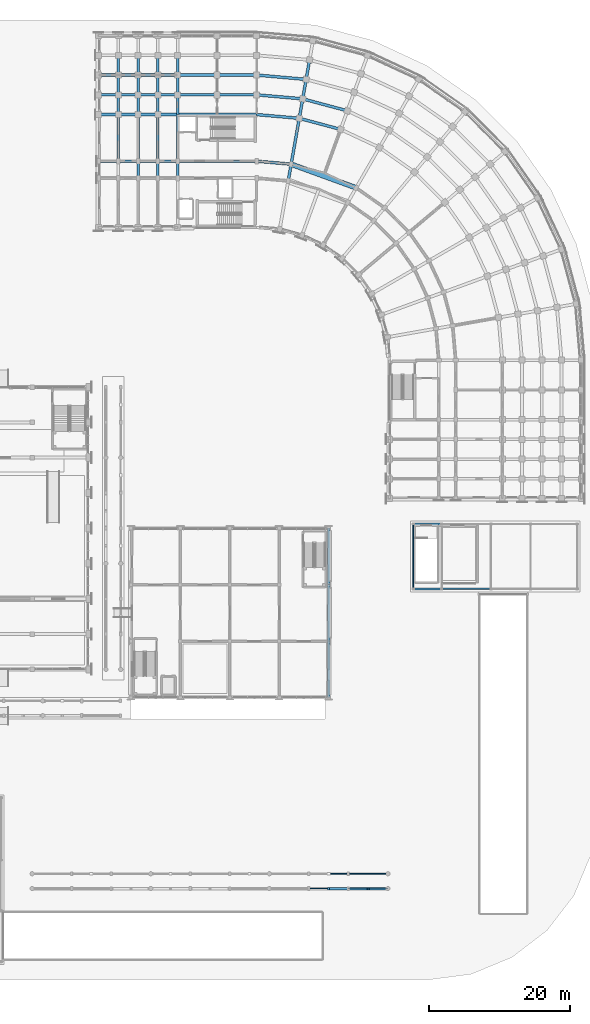
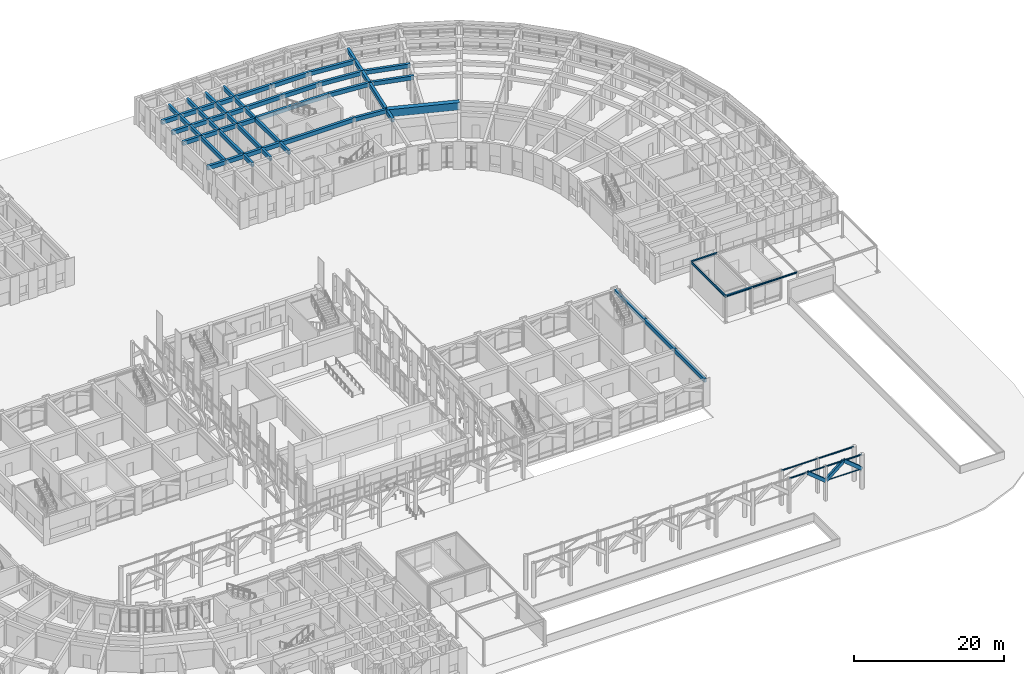
# One storey, part 46 of 135: 67 beams, 1 member.
"""IFC4 building model written with IfcOpenShell, lengths in metres."""

from ifc_helpers import new_model, si_unit, direction, frame, origin, origin_2d, place, context, subcontext, project, spatial, rectangle, hollow_circle, i_section, extrude, material, material_profile, profile_set, type_object, element, save


model = new_model("IFC4")

# Units and contexts
model_context = context("Model", 3, precision=1e-05, world=origin(), true_north=direction((0.0, 1.0)))
body_context = subcontext(model_context, "Body", "Model", "MODEL_VIEW")
ifc_project = project(units=[si_unit("LENGTHUNIT", "METRE"), si_unit("AREAUNIT", "SQUARE_METRE"), si_unit("VOLUMEUNIT", "CUBIC_METRE"), si_unit("PLANEANGLEUNIT", "RADIAN"), si_unit("MASSUNIT", "GRAM", prefix="KILO")], contexts=[model_context])

# Site, building, storey
site_placement = place(None, origin())
site = spatial("IfcSite", under=ifc_project, at=site_placement, CompositionType="ELEMENT")
building_placement = place(site_placement, origin())
building = spatial("IfcBuilding", under=site, at=building_placement, Name="Kiranvali Square Residences", CompositionType="ELEMENT")
storey_placement = place(building_placement, origin())
storey = spatial("IfcBuildingStorey", under=building, at=storey_placement, Name="L00", CompositionType="ELEMENT", Elevation=0.0)

# Beams
ifc_material_1 = material(Name="Concrete M40 (40 MPa)", Category="concrete")
ifc_material_profile_1 = material_profile(ifc_material_1, rectangle(XDim=0.35009765625, YDim=0.5, at=origin_2d()), Name="RC 350x500")
ifc_profile_set_1 = profile_set([ifc_material_profile_1], Name="Concrete M40 (40 MPa)")
beam_type_1 = type_object("IfcBeamType", Name="AR-M40-350x500", PredefinedType="USERDEFINED", material=ifc_profile_set_1)
for number, where, z_axis, x_axis, name in (
    (1, (130.0, 12.949951171875, 5.4599609375), (0.773707197962, 0.0, -0.633543346443), (0.0, 1.0, 0.0), "Classical pointed Ottoman arch rib ARCH-ARC-SQ-S-08.2"),
    (2, (132.840087890625, 12.949951171875, 3.199951171875), (0.773707197962, 0.0, 0.633543346443), (0.0, 1.0, 0.0), "Classical pointed Ottoman arch rib ARCH-ARC-SQ-S-09.1"),
    (3, (135.60009765625, 12.949951171875, 5.4599609375), (0.773707197962, 0.0, -0.633543346443), (0.0, 1.0, 0.0), "Classical pointed Ottoman arch rib ARCH-ARC-SQ-S-09.2"),
):
    element("IfcBeam", number, at=place(storey_placement, frame(where, z_axis=z_axis, x_axis=x_axis)), inside=storey, type_object=beam_type_1, Name=name, ObjectType="ARCH RIB", PredefinedType="USERDEFINED", context=body_context, shape_type="SweptSolid", body=[
        extrude(rectangle(XDim=0.35009765625, YDim=0.5, at=origin_2d()), origin(), (0.0, 0.0, 1.0), 3.567138671875),
    ])
ifc_material_profile_2 = material_profile(ifc_material_1, rectangle(XDim=0.35009765625, YDim=0.60009765625, at=origin_2d()), Name="RC 350x600")
ifc_profile_set_2 = profile_set([ifc_material_profile_2], Name="Concrete M40 (40 MPa)")
beam_type_2 = type_object("IfcBeamType", Name="BM-M40-350x600", PredefinedType="BEAM", material=ifc_profile_set_2)
for number, where, z_axis, x_axis, name in (
    (4, (130.0, 40.0, 3.97998046875), (0.0, 1.0, 0.0), (-1.0, 0.0, 0.0), "L00 beam BM-RT-L00-Y4-0"),
    (5, (130.0, 48.0, 3.97998046875), (0.0, 1.0, 0.0), (-1.0, 0.0, 0.0), "L00 beam BM-RT-L00-Y4-1"),
    (6, (130.0, 56.0, 3.97998046875), (0.0, 1.0, 0.0), (-1.0, 0.0, 0.0), "L00 beam BM-RT-L00-Y4-2"),
):
    element("IfcBeam", number, at=place(storey_placement, frame(where, z_axis=z_axis, x_axis=x_axis)), inside=storey, type_object=beam_type_2, Name=name, PredefinedType="BEAM", context=body_context, shape_type="SweptSolid", body=[
        extrude(rectangle(XDim=0.35009765625, YDim=0.60009765625, at=origin_2d()), origin(), (0.0, 0.0, 1.0), 8.0),
    ])
ifc_material_profile_3 = material_profile(ifc_material_1, rectangle(XDim=0.35009765625, YDim=0.64990234375, at=origin_2d()), Name="RC 350x650")
ifc_profile_set_3 = profile_set([ifc_material_profile_3], Name="Concrete M40 (40 MPa)")
beam_type_3 = type_object("IfcBeamType", Name="BM-M40-350x650", PredefinedType="BEAM", material=ifc_profile_set_3)
beam_1_placement = place(storey_placement, frame((108.60009765625, 113.60009765625, 3.824951171875), z_axis=(0.0, 1.0, 0.0), x_axis=(-1.0, 0.0, 0.0)))
element("IfcBeam", 7, at=beam_1_placement, inside=storey, type_object=beam_type_3, Name="L00 beam BM-B-L00-A1T1-12", PredefinedType="BEAM", context=body_context, shape_type="SweptSolid", body=[
    extrude(rectangle(XDim=0.35009765625, YDim=0.64990234375, at=origin_2d()), origin(), (0.0, 0.0, 1.0), 2.39990234375),
])
beam_2_placement = place(storey_placement, frame((108.60009765625, 116.0, 3.824951171875), z_axis=(0.0, 1.0, 0.0), x_axis=(-1.0, 0.0, 0.0)))
element("IfcBeam", 8, at=beam_2_placement, inside=storey, type_object=beam_type_3, Name="L00 beam BM-B-L00-A1T1-23", PredefinedType="BEAM", context=body_context, shape_type="SweptSolid", body=[
    extrude(rectangle(XDim=0.35009765625, YDim=0.64990234375, at=origin_2d()), origin(), (0.0, 0.0, 1.0), 6.60009765625),
])
beam_3_placement = place(storey_placement, frame((108.60009765625, 122.60009765625, 3.824951171875), z_axis=(0.0, 1.0, 0.0), x_axis=(-1.0, 0.0, 0.0)))
element("IfcBeam", 9, at=beam_3_placement, inside=storey, type_object=beam_type_3, Name="L00 beam BM-B-L00-A1T1-34", PredefinedType="BEAM", context=body_context, shape_type="SweptSolid", body=[
    extrude(rectangle(XDim=0.35009765625, YDim=0.64990234375, at=origin_2d()), origin(), (0.0, 0.0, 1.0), 2.7998046875),
])
for number, where, z_axis, x_axis, name in (
    (10, (108.60009765625, 125.39990234375, 3.824951171875), (0.0, 1.0, 0.0), (-1.0, 0.0, 0.0), "L00 beam BM-B-L00-A1T1-45"),
    (11, (108.60009765625, 128.199951171875, 3.824951171875), (0.0, 1.0, 0.0), (-1.0, 0.0, 0.0), "L00 beam BM-B-L00-A1T1-56"),
):
    element("IfcBeam", number, at=place(storey_placement, frame(where, z_axis=z_axis, x_axis=x_axis)), inside=storey, type_object=beam_type_3, Name=name, PredefinedType="BEAM", context=body_context, shape_type="SweptSolid", body=[
        extrude(rectangle(XDim=0.35009765625, YDim=0.64990234375, at=origin_2d()), origin(), (0.0, 0.0, 1.0), 2.800048828125),
    ])
beam_4_placement = place(storey_placement, frame((105.800048828125, 113.60009765625, 3.824951171875), z_axis=(0.0, 1.0, 0.0), x_axis=(-1.0, 0.0, 0.0)))
element("IfcBeam", 12, at=beam_4_placement, inside=storey, type_object=beam_type_3, Name="L00 beam BM-B-L00-A1T2-12", PredefinedType="BEAM", context=body_context, shape_type="SweptSolid", body=[
    extrude(rectangle(XDim=0.35009765625, YDim=0.64990234375, at=origin_2d()), origin(), (0.0, 0.0, 1.0), 2.39990234375),
])
beam_5_placement = place(storey_placement, frame((105.800048828125, 116.0, 3.824951171875), z_axis=(0.0, 1.0, 0.0), x_axis=(-1.0, 0.0, 0.0)))
element("IfcBeam", 13, at=beam_5_placement, inside=storey, type_object=beam_type_3, Name="L00 beam BM-B-L00-A1T2-23", PredefinedType="BEAM", context=body_context, shape_type="SweptSolid", body=[
    extrude(rectangle(XDim=0.35009765625, YDim=0.64990234375, at=origin_2d()), origin(), (0.0, 0.0, 1.0), 6.60009765625),
])
beam_6_placement = place(storey_placement, frame((105.800048828125, 122.60009765625, 3.824951171875), z_axis=(0.0, 1.0, 0.0), x_axis=(-1.0, 0.0, 0.0)))
element("IfcBeam", 14, at=beam_6_placement, inside=storey, type_object=beam_type_3, Name="L00 beam BM-B-L00-A1T2-34", PredefinedType="BEAM", context=body_context, shape_type="SweptSolid", body=[
    extrude(rectangle(XDim=0.35009765625, YDim=0.64990234375, at=origin_2d()), origin(), (0.0, 0.0, 1.0), 2.7998046875),
])
for number, where, z_axis, x_axis, name in (
    (15, (105.800048828125, 125.39990234375, 3.824951171875), (0.0, 1.0, 0.0), (-1.0, 0.0, 0.0), "L00 beam BM-B-L00-A1T2-45"),
    (16, (105.800048828125, 128.199951171875, 3.824951171875), (0.0, 1.0, 0.0), (-1.0, 0.0, 0.0), "L00 beam BM-B-L00-A1T2-56"),
):
    element("IfcBeam", number, at=place(storey_placement, frame(where, z_axis=z_axis, x_axis=x_axis)), inside=storey, type_object=beam_type_3, Name=name, PredefinedType="BEAM", context=body_context, shape_type="SweptSolid", body=[
        extrude(rectangle(XDim=0.35009765625, YDim=0.64990234375, at=origin_2d()), origin(), (0.0, 0.0, 1.0), 2.800048828125),
    ])
beam_7_placement = place(storey_placement, frame((103.0, 113.60009765625, 3.824951171875), z_axis=(0.0, 1.0, 0.0), x_axis=(-1.0, 0.0, 0.0)))
element("IfcBeam", 17, at=beam_7_placement, inside=storey, type_object=beam_type_3, Name="L00 beam BM-B-L00-A1T3-12", PredefinedType="BEAM", context=body_context, shape_type="SweptSolid", body=[
    extrude(rectangle(XDim=0.35009765625, YDim=0.64990234375, at=origin_2d()), origin(), (0.0, 0.0, 1.0), 2.39990234375),
])
beam_8_placement = place(storey_placement, frame((103.0, 116.0, 3.824951171875), z_axis=(0.0, 1.0, 0.0), x_axis=(-1.0, 0.0, 0.0)))
element("IfcBeam", 18, at=beam_8_placement, inside=storey, type_object=beam_type_3, Name="L00 beam BM-B-L00-A1T3-23", PredefinedType="BEAM", context=body_context, shape_type="SweptSolid", body=[
    extrude(rectangle(XDim=0.35009765625, YDim=0.64990234375, at=origin_2d()), origin(), (0.0, 0.0, 1.0), 6.60009765625),
])
beam_9_placement = place(storey_placement, frame((103.0, 122.60009765625, 3.824951171875), z_axis=(0.0, 1.0, 0.0), x_axis=(-1.0, 0.0, 0.0)))
element("IfcBeam", 19, at=beam_9_placement, inside=storey, type_object=beam_type_3, Name="L00 beam BM-B-L00-A1T3-34", PredefinedType="BEAM", context=body_context, shape_type="SweptSolid", body=[
    extrude(rectangle(XDim=0.35009765625, YDim=0.64990234375, at=origin_2d()), origin(), (0.0, 0.0, 1.0), 2.7998046875),
])
for number, where, z_axis, x_axis, name in (
    (20, (103.0, 125.39990234375, 3.824951171875), (0.0, 1.0, 0.0), (-1.0, 0.0, 0.0), "L00 beam BM-B-L00-A1T3-45"),
    (21, (103.0, 128.199951171875, 3.824951171875), (0.0, 1.0, 0.0), (-1.0, 0.0, 0.0), "L00 beam BM-B-L00-A1T3-56"),
):
    element("IfcBeam", number, at=place(storey_placement, frame(where, z_axis=z_axis, x_axis=x_axis)), inside=storey, type_object=beam_type_3, Name=name, PredefinedType="BEAM", context=body_context, shape_type="SweptSolid", body=[
        extrude(rectangle(XDim=0.35009765625, YDim=0.64990234375, at=origin_2d()), origin(), (0.0, 0.0, 1.0), 2.800048828125),
    ])
beam_10_placement = place(storey_placement, frame((100.199951171875, 116.0, 3.824951171875), z_axis=(0.0, 1.0, 0.0), x_axis=(-1.0, 0.0, 0.0)))
element("IfcBeam", 22, at=beam_10_placement, inside=storey, type_object=beam_type_3, Name="L00 beam BM-B-L00-A1T4-23", PredefinedType="BEAM", context=body_context, shape_type="SweptSolid", body=[
    extrude(rectangle(XDim=0.35009765625, YDim=0.64990234375, at=origin_2d()), origin(), (0.0, 0.0, 1.0), 6.60009765625),
])
beam_11_placement = place(storey_placement, frame((100.199951171875, 122.60009765625, 3.824951171875), z_axis=(0.0, 1.0, 0.0), x_axis=(-1.0, 0.0, 0.0)))
element("IfcBeam", 23, at=beam_11_placement, inside=storey, type_object=beam_type_3, Name="L00 beam BM-B-L00-A1T4-34", PredefinedType="BEAM", context=body_context, shape_type="SweptSolid", body=[
    extrude(rectangle(XDim=0.35009765625, YDim=0.64990234375, at=origin_2d()), origin(), (0.0, 0.0, 1.0), 2.7998046875),
])
for number, where, z_axis, x_axis, name in (
    (24, (100.199951171875, 125.39990234375, 3.824951171875), (0.0, 1.0, 0.0), (-1.0, 0.0, 0.0), "L00 beam BM-B-L00-A1T4-45"),
    (25, (100.199951171875, 128.199951171875, 3.824951171875), (0.0, 1.0, 0.0), (-1.0, 0.0, 0.0), "L00 beam BM-B-L00-A1T4-56"),
):
    element("IfcBeam", number, at=place(storey_placement, frame(where, z_axis=z_axis, x_axis=x_axis)), inside=storey, type_object=beam_type_3, Name=name, PredefinedType="BEAM", context=body_context, shape_type="SweptSolid", body=[
        extrude(rectangle(XDim=0.35009765625, YDim=0.64990234375, at=origin_2d()), origin(), (0.0, 0.0, 1.0), 2.800048828125),
    ])
ifc_material_2 = material(Name="Concrete M45 (45 MPa)", Category="concrete")
ifc_material_profile_4 = material_profile(ifc_material_2, rectangle(XDim=0.39990234375, YDim=0.64990234375, at=origin_2d()), Name="RC 400x650")
ifc_profile_set_4 = profile_set([ifc_material_profile_4], Name="Concrete M45 (45 MPa)")
beam_type_4 = type_object("IfcBeamType", Name="BM-M45-400x650", PredefinedType="BEAM", material=ifc_profile_set_4)
beam_12_placement = place(storey_placement, frame((119.800048828125, 116.0, 3.824951171875), z_axis=(0.996193663584, -0.087167566415, 0.0), x_axis=(0.087167566415, 0.996193663584, 0.0)))
element("IfcBeam", 26, at=beam_12_placement, inside=storey, type_object=beam_type_4, Name="L00 beam BM-B-L00-C00-R2", PredefinedType="BEAM", context=body_context, shape_type="SweptSolid", body=[
    extrude(rectangle(XDim=0.39990234375, YDim=0.64990234375, at=origin_2d()), origin(), (0.0, 0.0, 1.0), 4.91552734375),
])
beam_13_placement = place(storey_placement, frame((119.800048828125, 122.60009765625, 3.824951171875), z_axis=(0.996193018494, -0.087174938512, 0.0), x_axis=(0.087174938512, 0.996193018494, 0.0)))
element("IfcBeam", 27, at=beam_13_placement, inside=storey, type_object=beam_type_4, Name="L00 beam BM-B-L00-C00-R3", PredefinedType="BEAM", context=body_context, shape_type="SweptSolid", body=[
    extrude(rectangle(XDim=0.39990234375, YDim=0.64990234375, at=origin_2d()), origin(), (0.0, 0.0, 1.0), 6.066162109375),
])
beam_14_placement = place(storey_placement, frame((119.800048828125, 125.39990234375, 3.824951171875), z_axis=(0.996196991902, -0.0871295204, 0.0), x_axis=(0.0871295204, 0.996196991902, 0.0)))
element("IfcBeam", 28, at=beam_14_placement, inside=storey, type_object=beam_type_4, Name="L00 beam BM-B-L00-C00-R4", PredefinedType="BEAM", context=body_context, shape_type="SweptSolid", body=[
    extrude(rectangle(XDim=0.39990234375, YDim=0.64990234375, at=origin_2d()), origin(), (0.0, 0.0, 1.0), 6.553955078125),
])
beam_15_placement = place(storey_placement, frame((119.800048828125, 128.199951171875, 3.824951171875), z_axis=(0.996194658198, -0.087156198737, 0.0), x_axis=(0.087156198737, 0.996194658198, 0.0)))
element("IfcBeam", 29, at=beam_15_placement, inside=storey, type_object=beam_type_4, Name="L00 beam BM-B-L00-C00-R5", PredefinedType="BEAM", context=body_context, shape_type="SweptSolid", body=[
    extrude(rectangle(XDim=0.39990234375, YDim=0.64990234375, at=origin_2d()), origin(), (0.0, 0.0, 1.0), 7.042236328125),
])
beam_16_placement = place(storey_placement, frame((125.843017578125, 122.0712890625, 3.824951171875), z_axis=(0.965923618901, -0.258827283048, 0.0), x_axis=(0.258827283048, 0.965923618901, 0.0)))
element("IfcBeam", 30, at=beam_16_placement, inside=storey, type_object=beam_type_4, Name="L00 beam BM-B-L00-C01-R3", PredefinedType="BEAM", context=body_context, shape_type="SweptSolid", body=[
    extrude(rectangle(XDim=0.39990234375, YDim=0.64990234375, at=origin_2d()), origin(), (0.0, 0.0, 1.0), 6.066162109375),
])
beam_17_placement = place(storey_placement, frame((126.3291015625, 124.828857421875, 3.824951171875), z_axis=(0.965918287583, -0.258847178297, 0.0), x_axis=(0.258847178297, 0.965918287583, 0.0)))
element("IfcBeam", 31, at=beam_17_placement, inside=storey, type_object=beam_type_4, Name="L00 beam BM-B-L00-C01-R4", PredefinedType="BEAM", context=body_context, shape_type="SweptSolid", body=[
    extrude(rectangle(XDim=0.39990234375, YDim=0.64990234375, at=origin_2d()), origin(), (0.0, 0.0, 1.0), 6.55419921875),
])
beam_18_placement = place(storey_placement, frame((124.280029296875, 113.2080078125, 3.824951171875), z_axis=(0.173646056486, 0.984808127031, 0.0), x_axis=(-0.984808127031, 0.173646056486, 0.0)))
element("IfcBeam", 32, at=beam_18_placement, inside=storey, type_object=beam_type_4, Name="L00 beam BM-B-L00-RAD01-12", PredefinedType="BEAM", context=body_context, shape_type="SweptSolid", body=[
    extrude(rectangle(XDim=0.39990234375, YDim=0.64990234375, at=origin_2d()), origin(), (0.0, 0.0, 1.0), 2.39990234375),
])
beam_19_placement = place(storey_placement, frame((124.69677734375, 115.571533203125, 3.824951171875), z_axis=(0.173671381499, 0.984803661269, 0.0), x_axis=(-0.984803661269, 0.173671381499, 0.0)))
element("IfcBeam", 33, at=beam_19_placement, inside=storey, type_object=beam_type_4, Name="L00 beam BM-B-L00-RAD01-23", PredefinedType="BEAM", context=body_context, shape_type="SweptSolid", body=[
    extrude(rectangle(XDim=0.39990234375, YDim=0.64990234375, at=origin_2d()), origin(), (0.0, 0.0, 1.0), 6.60009765625),
])
beam_20_placement = place(storey_placement, frame((125.843017578125, 122.0712890625, 3.824951171875), z_axis=(0.173596320392, 0.984816895441, 0.0), x_axis=(-0.984816895441, 0.173596320392, 0.0)))
element("IfcBeam", 34, at=beam_20_placement, inside=storey, type_object=beam_type_4, Name="L00 beam BM-B-L00-RAD01-34", PredefinedType="BEAM", context=body_context, shape_type="SweptSolid", body=[
    extrude(rectangle(XDim=0.39990234375, YDim=0.64990234375, at=origin_2d()), origin(), (0.0, 0.0, 1.0), 2.800048828125),
])
beam_21_placement = place(storey_placement, frame((126.3291015625, 124.828857421875, 3.824951171875), z_axis=(0.173695795656, 0.984799355489, 0.0), x_axis=(-0.984799355489, 0.173695795656, 0.0)))
element("IfcBeam", 35, at=beam_21_placement, inside=storey, type_object=beam_type_4, Name="L00 beam BM-B-L00-RAD01-45", PredefinedType="BEAM", context=body_context, shape_type="SweptSolid", body=[
    extrude(rectangle(XDim=0.39990234375, YDim=0.64990234375, at=origin_2d()), origin(), (0.0, 0.0, 1.0), 2.7998046875),
])
beam_22_placement = place(storey_placement, frame((126.8154296875, 127.586181640625, 3.824951171875), z_axis=(0.173596320392, 0.984816895441, 0.0), x_axis=(-0.984816895441, 0.173596320392, 0.0)))
element("IfcBeam", 36, at=beam_22_placement, inside=storey, type_object=beam_type_4, Name="L00 beam BM-B-L00-RAD01-56", PredefinedType="BEAM", context=body_context, shape_type="SweptSolid", body=[
    extrude(rectangle(XDim=0.39990234375, YDim=0.64990234375, at=origin_2d()), origin(), (0.0, 0.0, 1.0), 2.800048828125),
])
beam_23_placement = place(storey_placement, frame((119.800048828125, 116.0, 3.824951171875), z_axis=(-1.0, 0.0, 0.0), x_axis=(0.0, -1.0, 0.0)))
element("IfcBeam", 37, at=beam_23_placement, inside=storey, type_object=beam_type_4, Name="L00 beam BM-B-L00-A1U0-R2", PredefinedType="BEAM", context=body_context, shape_type="SweptSolid", body=[
    extrude(rectangle(XDim=0.39990234375, YDim=0.64990234375, at=origin_2d()), origin(), (0.0, 0.0, 1.0), 11.199951171875),
])
for number, where, z_axis, x_axis, name in (
    (38, (108.60009765625, 116.0, 3.824951171875), (-1.0, 0.0, 0.0), (0.0, -1.0, 0.0), "L00 beam BM-B-L00-A1U1-R2"),
    (39, (105.800048828125, 116.0, 3.824951171875), (-1.0, 0.0, 0.0), (0.0, -1.0, 0.0), "L00 beam BM-B-L00-A1U2-R2"),
    (40, (103.0, 116.0, 3.824951171875), (-1.0, 0.0, 0.0), (0.0, -1.0, 0.0), "L00 beam BM-B-L00-A1U3-R2"),
    (41, (100.199951171875, 116.0, 3.824951171875), (-1.0, 0.0, 0.0), (0.0, -1.0, 0.0), "L00 beam BM-B-L00-A1U4-R2"),
):
    element("IfcBeam", number, at=place(storey_placement, frame(where, z_axis=z_axis, x_axis=x_axis)), inside=storey, type_object=beam_type_4, Name=name, PredefinedType="BEAM", context=body_context, shape_type="SweptSolid", body=[
        extrude(rectangle(XDim=0.39990234375, YDim=0.64990234375, at=origin_2d()), origin(), (0.0, 0.0, 1.0), 2.800048828125),
    ])
beam_24_placement = place(storey_placement, frame((119.800048828125, 122.60009765625, 3.824951171875), z_axis=(-1.0, 0.0, 0.0), x_axis=(0.0, -1.0, 0.0)))
element("IfcBeam", 42, at=beam_24_placement, inside=storey, type_object=beam_type_4, Name="L00 beam BM-B-L00-A1U0-R3", PredefinedType="BEAM", context=body_context, shape_type="SweptSolid", body=[
    extrude(rectangle(XDim=0.39990234375, YDim=0.64990234375, at=origin_2d()), origin(), (0.0, 0.0, 1.0), 11.199951171875),
])
for number, where, z_axis, x_axis, name in (
    (43, (108.60009765625, 122.60009765625, 3.824951171875), (-1.0, 0.0, 0.0), (0.0, -1.0, 0.0), "L00 beam BM-B-L00-A1U1-R3"),
    (44, (105.800048828125, 122.60009765625, 3.824951171875), (-1.0, 0.0, 0.0), (0.0, -1.0, 0.0), "L00 beam BM-B-L00-A1U2-R3"),
    (45, (103.0, 122.60009765625, 3.824951171875), (-1.0, 0.0, 0.0), (0.0, -1.0, 0.0), "L00 beam BM-B-L00-A1U3-R3"),
    (46, (100.199951171875, 122.60009765625, 3.824951171875), (-1.0, 0.0, 0.0), (0.0, -1.0, 0.0), "L00 beam BM-B-L00-A1U4-R3"),
):
    element("IfcBeam", number, at=place(storey_placement, frame(where, z_axis=z_axis, x_axis=x_axis)), inside=storey, type_object=beam_type_4, Name=name, PredefinedType="BEAM", context=body_context, shape_type="SweptSolid", body=[
        extrude(rectangle(XDim=0.39990234375, YDim=0.64990234375, at=origin_2d()), origin(), (0.0, 0.0, 1.0), 2.800048828125),
    ])
beam_25_placement = place(storey_placement, frame((119.800048828125, 125.39990234375, 3.824951171875), z_axis=(-1.0, 0.0, 0.0), x_axis=(0.0, -1.0, 0.0)))
element("IfcBeam", 47, at=beam_25_placement, inside=storey, type_object=beam_type_4, Name="L00 beam BM-B-L00-A1U0-R4", PredefinedType="BEAM", context=body_context, shape_type="SweptSolid", body=[
    extrude(rectangle(XDim=0.39990234375, YDim=0.64990234375, at=origin_2d()), origin(), (0.0, 0.0, 1.0), 5.60009765625),
])
beam_26_placement = place(storey_placement, frame((114.199951171875, 125.39990234375, 3.824951171875), z_axis=(-1.0, 0.0, 0.0), x_axis=(0.0, -1.0, 0.0)))
element("IfcBeam", 48, at=beam_26_placement, inside=storey, type_object=beam_type_4, Name="L00 beam BM-B-L00-A1U1-R4", PredefinedType="BEAM", context=body_context, shape_type="SweptSolid", body=[
    extrude(rectangle(XDim=0.39990234375, YDim=0.64990234375, at=origin_2d()), origin(), (0.0, 0.0, 1.0), 5.599853515625),
])
for number, where, z_axis, x_axis, name in (
    (49, (108.60009765625, 125.39990234375, 3.824951171875), (-1.0, 0.0, 0.0), (0.0, -1.0, 0.0), "L00 beam BM-B-L00-A1U2-R4"),
    (50, (105.800048828125, 125.39990234375, 3.824951171875), (-1.0, 0.0, 0.0), (0.0, -1.0, 0.0), "L00 beam BM-B-L00-A1U3-R4"),
    (51, (103.0, 125.39990234375, 3.824951171875), (-1.0, 0.0, 0.0), (0.0, -1.0, 0.0), "L00 beam BM-B-L00-A1U4-R4"),
    (52, (100.199951171875, 125.39990234375, 3.824951171875), (-1.0, 0.0, 0.0), (0.0, -1.0, 0.0), "L00 beam BM-B-L00-A1U5-R4"),
):
    element("IfcBeam", number, at=place(storey_placement, frame(where, z_axis=z_axis, x_axis=x_axis)), inside=storey, type_object=beam_type_4, Name=name, PredefinedType="BEAM", context=body_context, shape_type="SweptSolid", body=[
        extrude(rectangle(XDim=0.39990234375, YDim=0.64990234375, at=origin_2d()), origin(), (0.0, 0.0, 1.0), 2.800048828125),
    ])
beam_27_placement = place(storey_placement, frame((119.800048828125, 128.199951171875, 3.824951171875), z_axis=(-1.0, 0.0, 0.0), x_axis=(0.0, -1.0, 0.0)))
element("IfcBeam", 53, at=beam_27_placement, inside=storey, type_object=beam_type_4, Name="L00 beam BM-B-L00-A1U0-R5", PredefinedType="BEAM", context=body_context, shape_type="SweptSolid", body=[
    extrude(rectangle(XDim=0.39990234375, YDim=0.64990234375, at=origin_2d()), origin(), (0.0, 0.0, 1.0), 5.60009765625),
])
beam_28_placement = place(storey_placement, frame((114.199951171875, 128.199951171875, 3.824951171875), z_axis=(-1.0, 0.0, 0.0), x_axis=(0.0, -1.0, 0.0)))
element("IfcBeam", 54, at=beam_28_placement, inside=storey, type_object=beam_type_4, Name="L00 beam BM-B-L00-A1U1-R5", PredefinedType="BEAM", context=body_context, shape_type="SweptSolid", body=[
    extrude(rectangle(XDim=0.39990234375, YDim=0.64990234375, at=origin_2d()), origin(), (0.0, 0.0, 1.0), 5.599853515625),
])
for number, where, z_axis, x_axis, name in (
    (55, (108.60009765625, 128.199951171875, 3.824951171875), (-1.0, 0.0, 0.0), (0.0, -1.0, 0.0), "L00 beam BM-B-L00-A1U2-R5"),
    (56, (105.800048828125, 128.199951171875, 3.824951171875), (-1.0, 0.0, 0.0), (0.0, -1.0, 0.0), "L00 beam BM-B-L00-A1U3-R5"),
    (57, (103.0, 128.199951171875, 3.824951171875), (-1.0, 0.0, 0.0), (0.0, -1.0, 0.0), "L00 beam BM-B-L00-A1U4-R5"),
    (58, (100.199951171875, 128.199951171875, 3.824951171875), (-1.0, 0.0, 0.0), (0.0, -1.0, 0.0), "L00 beam BM-B-L00-A1U5-R5"),
):
    element("IfcBeam", number, at=place(storey_placement, frame(where, z_axis=z_axis, x_axis=x_axis)), inside=storey, type_object=beam_type_4, Name=name, PredefinedType="BEAM", context=body_context, shape_type="SweptSolid", body=[
        extrude(rectangle(XDim=0.39990234375, YDim=0.64990234375, at=origin_2d()), origin(), (0.0, 0.0, 1.0), 2.800048828125),
    ])

# Member
ifc_material_3 = material(Name="Structural steel E350", Category="steel")
ifc_material_profile_5 = material_profile(ifc_material_3, hollow_circle(Radius=0.08251953125, WallThickness=0.00537109375, at=origin_2d()), Name="CHS 165.1x5.4")
ifc_profile_set_5 = profile_set([ifc_material_profile_5], Name="Structural steel E350")
member_type = type_object("IfcMemberType", Name="MEM-CHS165", PredefinedType="USERDEFINED", material=ifc_profile_set_5)
member_placement = place(storey_placement, frame((132.9990234375, 12.949951171875, 3.14990234375), z_axis=(1.0, 0.0, 0.0), x_axis=(0.0, 1.0, 0.0)))
element("IfcMember", 59, at=member_placement, inside=storey, type_object=member_type, Name="Ottoman arch springing tie rod ARC-SQ-S-9", ObjectType="TIE ROD", PredefinedType="USERDEFINED", context=body_context, shape_type="SweptSolid", body=[
    extrude(hollow_circle(Radius=0.08251953125, WallThickness=0.00537109375, at=origin_2d()), origin(), (0.0, 0.0, 1.0), 5.076904296875),
])

# Beams
ifc_material_profile_6 = material_profile(ifc_material_3, i_section(OverallWidth=0.199951171875, OverallDepth=0.199951171875, WebThickness=0.0078125, FlangeThickness=0.009033203125, at=origin_2d()), Name="ISHB 200")
ifc_profile_set_6 = profile_set([ifc_material_profile_6], Name="Structural steel E350")
beam_type_5 = type_object("IfcBeamType", Name="SBM-ISHB200", PredefinedType="BEAM", material=ifc_profile_set_6)
beam_29_placement = place(storey_placement, frame((146.0, 55.39990234375, 4.159912109375), z_axis=(1.0, 0.0, 0.0), x_axis=(0.0, 1.0, 0.0)))
element("IfcBeam", 60, at=beam_29_placement, inside=storey, type_object=beam_type_5, Name="East Street Ramp and Arcade Portal portal edge steel beam 2.1", PredefinedType="BEAM", context=body_context, shape_type="SweptSolid", body=[
    extrude(i_section(OverallWidth=0.199951171875, OverallDepth=0.199951171875, WebThickness=0.0078125, FlangeThickness=0.009033203125, at=origin_2d()), origin(), (0.0, 0.0, 1.0), 7.0),
])
ifc_material_profile_7 = material_profile(ifc_material_3, i_section(OverallWidth=0.25, OverallDepth=0.25, WebThickness=0.0087890625, FlangeThickness=0.009765625, at=origin_2d()), Name="ISHB 250")
ifc_profile_set_7 = profile_set([ifc_material_profile_7], Name="Structural steel E350")
beam_type_6 = type_object("IfcBeamType", Name="SBM-ISHB250", PredefinedType="BEAM", material=ifc_profile_set_7)
for number, where, z_axis, x_axis, name in (
    (61, (142.0, 55.39990234375, 4.135009765625), (1.0, 0.0, 0.0), (0.0, 1.0, 0.0), "East Street Ramp and Arcade Portal portal edge steel beam 1.1"),
    (62, (142.0, 64.60009765625, 4.135009765625), (1.0, 0.0, 0.0), (0.0, 1.0, 0.0), "East Street Ramp and Arcade Portal portal edge steel beam 1.2"),
):
    element("IfcBeam", number, at=place(storey_placement, frame(where, z_axis=z_axis, x_axis=x_axis)), inside=storey, type_object=beam_type_6, Name=name, PredefinedType="BEAM", context=body_context, shape_type="SweptSolid", body=[
        extrude(i_section(OverallWidth=0.25, OverallDepth=0.25, WebThickness=0.0087890625, FlangeThickness=0.009765625, at=origin_2d()), origin(), (0.0, 0.0, 1.0), 4.0),
    ])
ifc_material_profile_8 = material_profile(ifc_material_3, i_section(OverallWidth=0.10009765625, OverallDepth=0.199951171875, WebThickness=0.005615234375, FlangeThickness=0.0107421875, at=origin_2d()), Name="ISMB 200")
ifc_profile_set_8 = profile_set([ifc_material_profile_8], Name="Structural steel E350")
beam_type_7 = type_object("IfcBeamType", Name="SBM-ISMB200", PredefinedType="JOIST", material=ifc_profile_set_8)
for number, where, z_axis, x_axis, name in (
    (63, (127.199951171875, 12.949951171875, 5.4599609375), (1.0, 0.0, 0.0), (0.0, 1.0, 0.0), "Colonnade entablature steel beam ARC-SQ-S-8"),
    (64, (127.199951171875, 15.050048828125, 5.4599609375), (1.0, 0.0, 0.0), (0.0, 1.0, 0.0), "Colonnade inner entablature steel beam ARC-SQ-S-8B"),
):
    element("IfcBeam", number, at=place(storey_placement, frame(where, z_axis=z_axis, x_axis=x_axis)), inside=storey, type_object=beam_type_7, Name=name, PredefinedType="JOIST", context=body_context, shape_type="SweptSolid", body=[
        extrude(i_section(OverallWidth=0.10009765625, OverallDepth=0.199951171875, WebThickness=0.005615234375, FlangeThickness=0.0107421875, at=origin_2d()), origin(), (0.0, 0.0, 1.0), 5.60009765625),
    ])
ifc_material_profile_9 = material_profile(ifc_material_3, i_section(OverallWidth=0.110107421875, OverallDepth=0.22509765625, WebThickness=0.006591796875, FlangeThickness=0.01171875, at=origin_2d()), Name="ISMB 225")
ifc_profile_set_9 = profile_set([ifc_material_profile_9], Name="Structural steel E350")
beam_type_8 = type_object("IfcBeamType", Name="SBM-ISMB225", PredefinedType="JOIST", material=ifc_profile_set_9)
for number, where, z_axis, x_axis, name in (
    (65, (132.800048828125, 12.949951171875, 5.447509765625), (1.0, 0.0, 0.0), (0.0, 1.0, 0.0), "Colonnade entablature steel beam ARC-SQ-S-9"),
    (66, (132.800048828125, 15.050048828125, 5.447509765625), (1.0, 0.0, 0.0), (0.0, 1.0, 0.0), "Colonnade inner entablature steel beam ARC-SQ-S-9B"),
):
    element("IfcBeam", number, at=place(storey_placement, frame(where, z_axis=z_axis, x_axis=x_axis)), inside=storey, type_object=beam_type_8, Name=name, PredefinedType="JOIST", context=body_context, shape_type="SweptSolid", body=[
        extrude(i_section(OverallWidth=0.110107421875, OverallDepth=0.22509765625, WebThickness=0.006591796875, FlangeThickness=0.01171875, at=origin_2d()), origin(), (0.0, 0.0, 1.0), 5.599853515625),
    ])
ifc_material_profile_10 = material_profile(ifc_material_3, i_section(OverallWidth=0.139892578125, OverallDepth=0.39990234375, WebThickness=0.0087890625, FlangeThickness=0.01611328125, at=origin_2d()), Name="ISMB 400")
ifc_profile_set_10 = profile_set([ifc_material_profile_10], Name="Structural steel E350")
beam_type_9 = type_object("IfcBeamType", Name="SBM-ISMB400", PredefinedType="BEAM", material=ifc_profile_set_10)
beam_30_placement = place(storey_placement, frame((142.0, 55.39990234375, 4.06005859375), z_axis=(0.0, 1.0, 0.0), x_axis=(-1.0, 0.0, 0.0)))
element("IfcBeam", 67, at=beam_30_placement, inside=storey, type_object=beam_type_9, Name="East Street Ramp and Arcade Portal portal cross girder 1", PredefinedType="BEAM", context=body_context, shape_type="SweptSolid", body=[
    extrude(i_section(OverallWidth=0.139892578125, OverallDepth=0.39990234375, WebThickness=0.0087890625, FlangeThickness=0.01611328125, at=origin_2d()), origin(), (0.0, 0.0, 1.0), 9.2001953125),
])
ifc_material_4 = material(Name="Concrete M50 (50 MPa)", Category="concrete")
ifc_material_profile_11 = material_profile(ifc_material_4, rectangle(XDim=0.699951171875, YDim=1.199951171875, at=origin_2d()), Name="RC 700x1200")
ifc_profile_set_11 = profile_set([ifc_material_profile_11], Name="Concrete M50 (50 MPa)")
beam_type_10 = type_object("IfcBeamType", Name="TG-M50-700x1200", PredefinedType="USERDEFINED", material=ifc_profile_set_11)
beam_31_placement = place(storey_placement, frame((124.69677734375, 115.571533203125, 3.550048828125), z_axis=(0.939694398994, -0.342015257699, 0.0), x_axis=(0.342015257699, 0.939694398994, 0.0)))
element("IfcBeam", 68, at=beam_31_placement, inside=storey, type_object=beam_type_10, Name="Block B foyer transfer girder TG-R2", ObjectType="TRANSFER GIRDER", PredefinedType="USERDEFINED", context=body_context, shape_type="SweptSolid", body=[
    extrude(rectangle(XDim=0.699951171875, YDim=1.199951171875, at=origin_2d()), origin(), (0.0, 0.0, 1.0), 9.793701171875),
])

save(model, "model.ifc")
